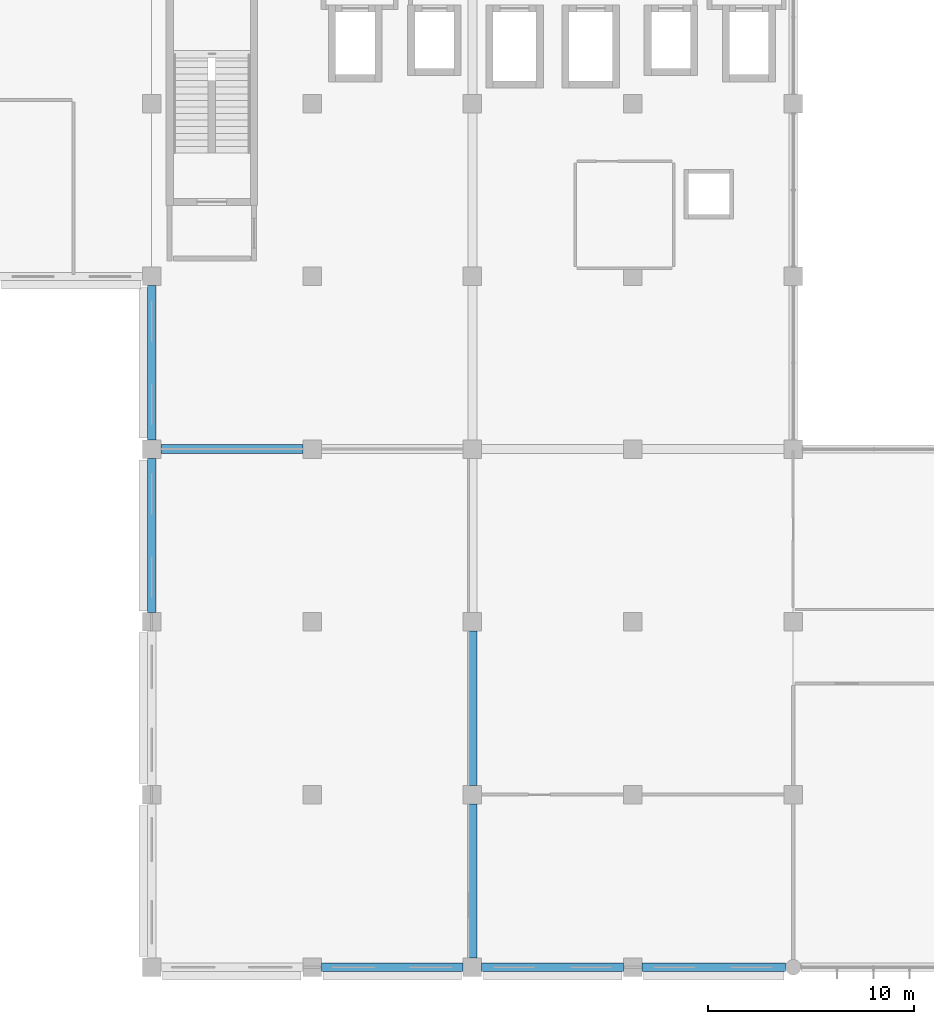
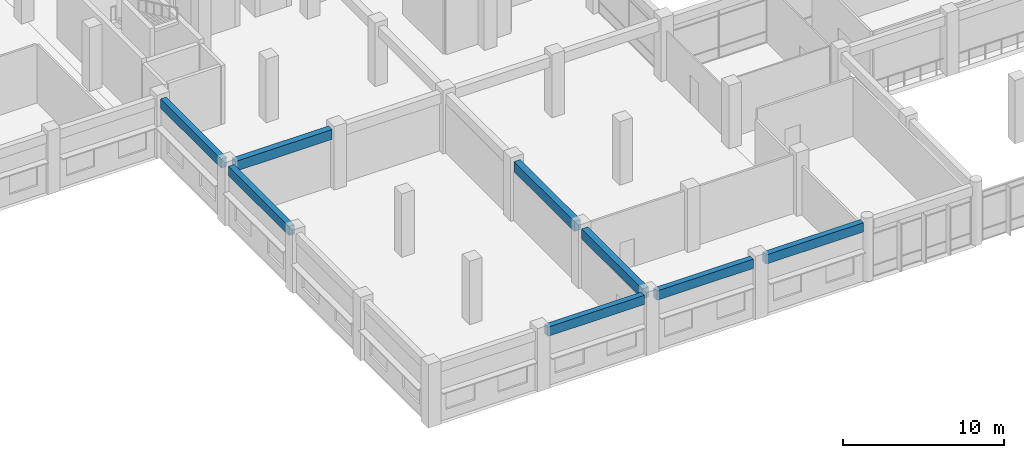
# One storey, part 2 of 79: 8 beams.
"""IFC4 building model written with IfcOpenShell, lengths in metres."""

from ifc_helpers import new_model, si_unit, direction, frame, origin, origin_2d, place, context, subcontext, project, spatial, rectangle, extrude, material, material_profile, profile_set, type_object, element, save


model = new_model("IFC4")

# Units and contexts
model_context = context("Model", 3, precision=1e-05, world=origin(), true_north=direction((0.0, 1.0)))
body_context = subcontext(model_context, "Body", "Model", "MODEL_VIEW")
ifc_project = project(units=[si_unit("LENGTHUNIT", "METRE"), si_unit("AREAUNIT", "SQUARE_METRE"), si_unit("VOLUMEUNIT", "CUBIC_METRE"), si_unit("PLANEANGLEUNIT", "RADIAN"), si_unit("MASSUNIT", "GRAM", prefix="KILO"), si_unit("THERMODYNAMICTEMPERATUREUNIT", "KELVIN"), si_unit("POWERUNIT", "WATT")], contexts=[model_context])

# Site, building, storey
site_placement = place(None, origin())
site = spatial("IfcSite", under=ifc_project, at=site_placement, CompositionType="ELEMENT")
building_placement = place(site_placement, origin())
building = spatial("IfcBuilding", under=site, at=building_placement, Name="Srebrne Nadtorze General Hospital", CompositionType="ELEMENT")
storey_placement = place(building_placement, frame((0.0, 0.0, 4.800048828125)))
storey = spatial("IfcBuildingStorey", under=building, at=storey_placement, Name="L01", CompositionType="ELEMENT", Elevation=4.800048828125)

# Beams
ifc_material_1 = material(Name="Concrete C40/50", Category="concrete")
ifc_material_profile_1 = material_profile(ifc_material_1, rectangle(XDim=0.39990234375, YDim=0.699951171875, at=origin_2d()), Name="RC-BM-400x700")
ifc_profile_set_1 = profile_set([ifc_material_profile_1], Name="Concrete C40/50")
beam_type_1 = type_object("IfcBeamType", Name="Edge beam RC 400x700", PredefinedType="BEAM", material=ifc_profile_set_1)
for number, where, z_axis, x_axis, name in (
    (1, (31.64990234375, 0.0, 4.099853515625), (1.0, 0.0, 0.0), (0.0, 1.0, 0.0), "Beam BM-L01-X-0367"),
    (2, (39.449951171875, 0.0, 4.099853515625), (1.0, 0.0, 0.0), (0.0, 1.0, 0.0), "Beam BM-L01-X-0368"),
):
    element("IfcBeam", number, at=place(storey_placement, frame(where, z_axis=z_axis, x_axis=x_axis)), inside=storey, type_object=beam_type_1, Name=name, PredefinedType="BEAM", context=body_context, shape_type="SweptSolid", body=[
        extrude(rectangle(XDim=0.39990234375, YDim=0.699951171875, at=origin_2d()), origin(), (0.0, 0.0, 1.0), 6.900146484375),
    ])
beam_1_placement = place(storey_placement, frame((47.25, 0.0, 4.099853515625), z_axis=(1.0, 0.0, 0.0), x_axis=(0.0, 1.0, 0.0)))
element("IfcBeam", 3, at=beam_1_placement, inside=storey, type_object=beam_type_1, Name="Beam BM-L01-X-0369", PredefinedType="BEAM", context=body_context, shape_type="SweptSolid", body=[
    extrude(rectangle(XDim=0.39990234375, YDim=0.699951171875, at=origin_2d()), origin(), (0.0, 0.0, 1.0), 6.97509765625),
])
for number, where, z_axis, x_axis, name in (
    (4, (23.39990234375, 17.25, 4.099853515625), (0.0, 1.0, 0.0), (-1.0, 0.0, 0.0), "Beam BM-L01-Y-0473"),
    (5, (23.39990234375, 25.64990234375, 4.099853515625), (0.0, 1.0, 0.0), (-1.0, 0.0, 0.0), "Beam BM-L01-Y-0474"),
):
    element("IfcBeam", number, at=place(storey_placement, frame(where, z_axis=z_axis, x_axis=x_axis)), inside=storey, type_object=beam_type_1, Name=name, PredefinedType="BEAM", context=body_context, shape_type="SweptSolid", body=[
        extrude(rectangle(XDim=0.39990234375, YDim=0.699951171875, at=origin_2d()), origin(), (0.0, 0.0, 1.0), 7.5),
    ])
ifc_material_2 = material(Name="Concrete C40/50", Category="concrete")
ifc_material_profile_2 = material_profile(ifc_material_2, rectangle(XDim=0.449951171875, YDim=0.75, at=origin_2d()), Name="RC-BM-450x750")
ifc_profile_set_2 = profile_set([ifc_material_profile_2], Name="Concrete C40/50")
beam_type_2 = type_object("IfcBeamType", Name="Primary beam RC 450x750", PredefinedType="BEAM", material=ifc_profile_set_2)
beam_2_placement = place(storey_placement, frame((23.85009765625, 25.199951171875, 4.074951171875), z_axis=(1.0, 0.0, 0.0), x_axis=(0.0, 1.0, 0.0)))
element("IfcBeam", 6, at=beam_2_placement, inside=storey, type_object=beam_type_2, Name="Beam BM-L01-X-0384", PredefinedType="BEAM", context=body_context, shape_type="SweptSolid", body=[
    extrude(rectangle(XDim=0.449951171875, YDim=0.75, at=origin_2d()), origin(), (0.0, 0.0, 1.0), 6.89990234375),
])
for number, where, z_axis, x_axis, name in (
    (7, (39.0, 0.449951171875, 4.074951171875), (0.0, 1.0, 0.0), (-1.0, 0.0, 0.0), "Beam BM-L01-Y-0479"),
    (8, (39.0, 8.85009765625, 4.074951171875), (0.0, 1.0, 0.0), (-1.0, 0.0, 0.0), "Beam BM-L01-Y-0480"),
):
    element("IfcBeam", number, at=place(storey_placement, frame(where, z_axis=z_axis, x_axis=x_axis)), inside=storey, type_object=beam_type_2, Name=name, PredefinedType="BEAM", context=body_context, shape_type="SweptSolid", body=[
        extrude(rectangle(XDim=0.449951171875, YDim=0.75, at=origin_2d()), origin(), (0.0, 0.0, 1.0), 7.5),
    ])

save(model, "model.ifc")
